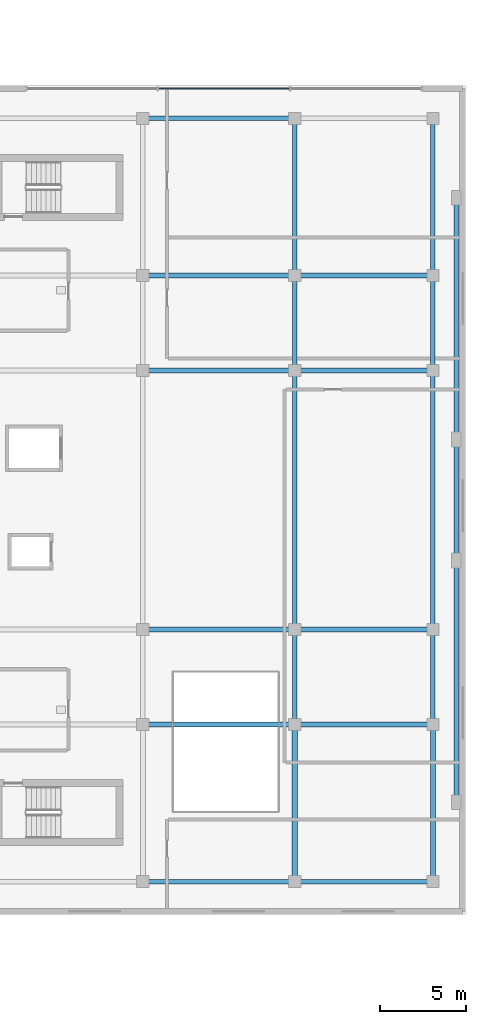
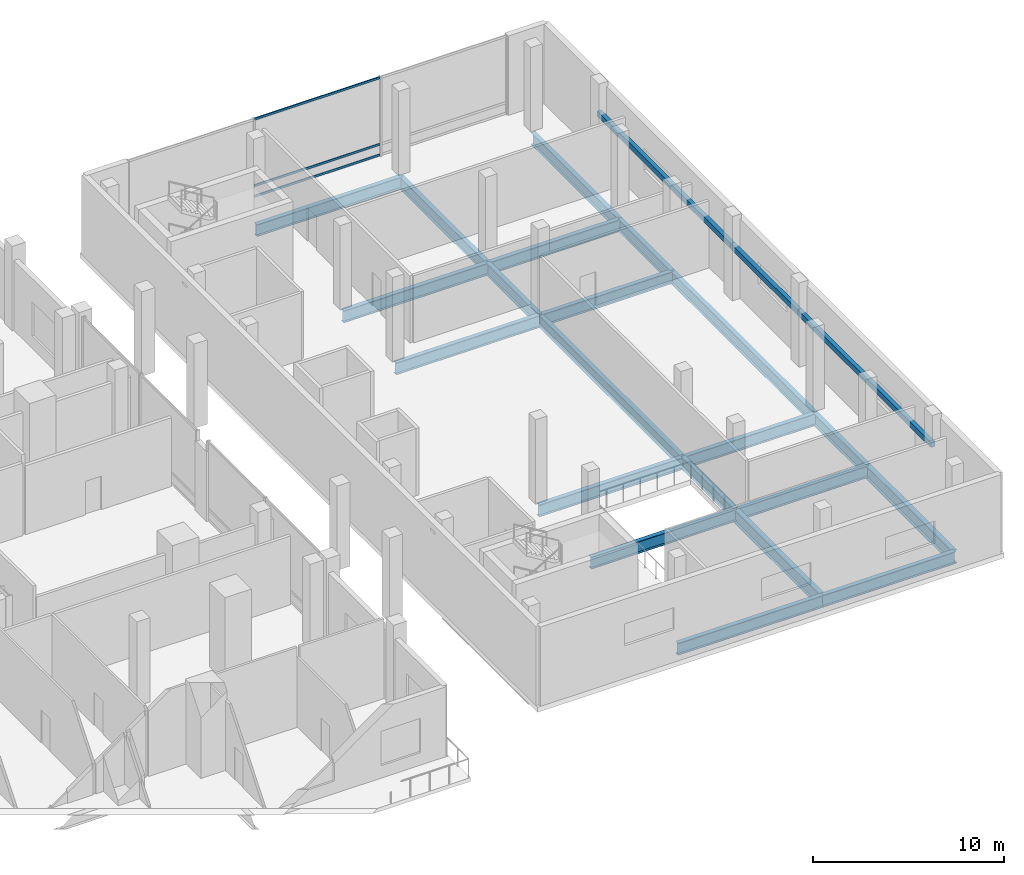
# One storey, part 17 of 32: 24 beams, 3 members, 1 element without a shape of its own.
"""IFC4 building model written with IfcOpenShell, lengths in metres."""

from ifc_helpers import new_model, si_unit, direction, frame, origin, origin_2d, place, context, subcontext, project, spatial, rectangle, hollow_rectangle, i_section, extrude, material, layer, layer_set, material_profile, profile_set, type_object, element, aggregate, save


model = new_model("IFC4")

# Units and contexts
model_context = context("Model", 3, precision=1e-05, world=origin(), true_north=direction((0.0, 1.0)))
body_context = subcontext(model_context, "Body", "Model", "MODEL_VIEW")
ifc_project = project(units=[si_unit("LENGTHUNIT", "METRE"), si_unit("AREAUNIT", "SQUARE_METRE"), si_unit("VOLUMEUNIT", "CUBIC_METRE"), si_unit("PLANEANGLEUNIT", "RADIAN"), si_unit("MASSUNIT", "GRAM", prefix="KILO")], contexts=[model_context])

# Site, building, storey
site_placement = place(None, origin())
site = spatial("IfcSite", under=ifc_project, at=site_placement, CompositionType="ELEMENT")
building_placement = place(site_placement, origin())
building = spatial("IfcBuilding", under=site, at=building_placement, Name="Barlavira Tower and Art Museum", CompositionType="ELEMENT")
storey_placement = place(building_placement, frame((0.0, 0.0, 6.0)))
storey = spatial("IfcBuildingStorey", under=building, at=storey_placement, Name="L01", CompositionType="ELEMENT", Elevation=6.0)

# Curtain wall, members
ifc_material_1 = material(Name="Low-iron coastal laminated glass", Category="glass")
ifc_layer = layer(ifc_material_1, 0.199951171875, Name="Low-iron coastal laminated glass")
ifc_layer_set = layer_set([ifc_layer], Name="Low-iron coastal laminated glass")
curtain_wall_type = type_object("IfcCurtainWallType", Name="Coastal Art Museum North-Light Curtain Wall", PredefinedType="NOTDEFINED", material=ifc_layer_set)
curtain_wall_placement = place(storey_placement, origin())
curtain_wall = element("IfcCurtainWall", 1, at=curtain_wall_placement, inside=storey, type_object=curtain_wall_type, Name="L01 Curtain Wall CW6-MUS-L01-N", PredefinedType="NOTDEFINED")
ifc_material_2 = material(Name="Pale anodised aluminium", Category="aluminium")
ifc_material_profile_1 = material_profile(ifc_material_2, hollow_rectangle(XDim=0.06494140625, YDim=0.139892578125, WallThickness=0.00390625, at=origin_2d()), Name="ALU-TRAN 65x140x4")
ifc_profile_set_1 = profile_set([ifc_material_profile_1], Name="Pale anodised aluminium")
member_type = type_object("IfcMemberType", Name="Curtain Wall Pale-Metal Transom 65x140", PredefinedType="USERDEFINED", material=ifc_profile_set_1)
member_1_placement = place(storey_placement, frame((47.288330078125, 23.824951171875, 0.070068359375), z_axis=(-1.0, 0.0, 0.0), x_axis=(0.0, -1.0, 0.0)))
member_1 = element("IfcMember", 2, at=member_1_placement, type_object=member_type, Name="CW6-MUS-L01-N Transom 1.1", ObjectType="TRANSOM", PredefinedType="USERDEFINED", context=body_context, shape_type="SweptSolid", body=[
    extrude(hollow_rectangle(XDim=0.06494140625, YDim=0.139892578125, WallThickness=0.00390625, at=origin_2d()), origin(), (0.0, 0.0, 1.0), 7.57666015625),
])
member_2_placement = place(storey_placement, frame((47.288330078125, 23.824951171875, 0.75), z_axis=(-1.0, 0.0, 0.0), x_axis=(0.0, -1.0, 0.0)))
member_2 = element("IfcMember", 3, at=member_2_placement, type_object=member_type, Name="CW6-MUS-L01-N Transom 1.2", ObjectType="TRANSOM", PredefinedType="USERDEFINED", context=body_context, shape_type="SweptSolid", body=[
    extrude(hollow_rectangle(XDim=0.06494140625, YDim=0.139892578125, WallThickness=0.00390625, at=origin_2d()), origin(), (0.0, 0.0, 1.0), 7.57666015625),
])
member_3_placement = place(storey_placement, frame((47.288330078125, 23.824951171875, 5.010009765625), z_axis=(-1.0, 0.0, 0.0), x_axis=(0.0, -1.0, 0.0)))
member_3 = element("IfcMember", 4, at=member_3_placement, type_object=member_type, Name="CW6-MUS-L01-N Transom 1.3", ObjectType="TRANSOM", PredefinedType="USERDEFINED", context=body_context, shape_type="SweptSolid", body=[
    extrude(hollow_rectangle(XDim=0.06494140625, YDim=0.139892578125, WallThickness=0.00390625, at=origin_2d()), origin(), (0.0, 0.0, 1.0), 7.57666015625),
])
aggregate(curtain_wall, [member_1, member_2, member_3])

# Beams
ifc_material_3 = material(Name="Steel S355", Category="steel")
ifc_material_profile_2 = material_profile(ifc_material_3, i_section(OverallWidth=0.2939453125, OverallDepth=0.85107421875, WebThickness=0.017333984375, FlangeThickness=0.0283203125, at=origin_2d()), Name="W840x251.0")
ifc_profile_set_2 = profile_set([ifc_material_profile_2], Name="Steel S355")
beam_type_1 = type_object("IfcBeamType", Name="Museum Auditorium Heavy Girder W840x251 Steel S355", PredefinedType="BEAM", material=ifc_profile_set_2)
for number, where, z_axis, x_axis, name in (
    (5, (47.60009765625, -22.10009765625, -0.74560546875), (0.0, 1.0, 0.0), (-1.0, 0.0, 0.0), "L01 Museum Girder Y 3-1"),
    (6, (55.60009765625, -22.10009765625, -0.74560546875), (0.0, 1.0, 0.0), (-1.0, 0.0, 0.0), "L01 Museum Girder Y 4-1"),
):
    element("IfcBeam", number, at=place(storey_placement, frame(where, z_axis=z_axis, x_axis=x_axis)), inside=storey, type_object=beam_type_1, Name=name, PredefinedType="BEAM", context=body_context, shape_type="SweptSolid", body=[
        extrude(i_section(OverallWidth=0.2939453125, OverallDepth=0.85107421875, WebThickness=0.017333984375, FlangeThickness=0.0283203125, at=origin_2d()), origin(), (0.0, 0.0, 1.0), 9.10009765625),
    ])
ifc_material_profile_3 = material_profile(ifc_material_3, i_section(OverallWidth=0.26904296875, OverallDepth=0.76806640625, WebThickness=0.016845703125, FlangeThickness=0.026611328125, at=origin_2d()), Name="W760x220.0")
ifc_profile_set_3 = profile_set([ifc_material_profile_3], Name="Steel S355")
beam_type_2 = type_object("IfcBeamType", Name="Museum Long-Span Gallery Girder W760x220 Steel S355", PredefinedType="BEAM", material=ifc_profile_set_3)
beam_1_placement = place(storey_placement, frame((47.60009765625, -13.0, -0.7041015625), z_axis=(0.0, 1.0, 0.0), x_axis=(-1.0, 0.0, 0.0)))
element("IfcBeam", 7, at=beam_1_placement, inside=storey, type_object=beam_type_2, Name="L01 Museum Girder Y 3-2", PredefinedType="BEAM", context=body_context, shape_type="SweptSolid", body=[
    extrude(i_section(OverallWidth=0.26904296875, OverallDepth=0.76806640625, WebThickness=0.016845703125, FlangeThickness=0.026611328125, at=origin_2d()), origin(), (0.0, 0.0, 1.0), 5.5),
])
beam_2_placement = place(storey_placement, frame((47.60009765625, -7.5, -0.7041015625), z_axis=(0.0, 1.0, 0.0), x_axis=(-1.0, 0.0, 0.0)))
element("IfcBeam", 8, at=beam_2_placement, inside=storey, type_object=beam_type_2, Name="L01 Museum Girder Y 3-3", PredefinedType="BEAM", context=body_context, shape_type="SweptSolid", body=[
    extrude(i_section(OverallWidth=0.26904296875, OverallDepth=0.76806640625, WebThickness=0.016845703125, FlangeThickness=0.026611328125, at=origin_2d()), origin(), (0.0, 0.0, 1.0), 15.0),
])
beam_3_placement = place(storey_placement, frame((47.60009765625, 7.5, -0.7041015625), z_axis=(0.0, 1.0, 0.0), x_axis=(-1.0, 0.0, 0.0)))
element("IfcBeam", 9, at=beam_3_placement, inside=storey, type_object=beam_type_2, Name="L01 Museum Girder Y 3-4", PredefinedType="BEAM", context=body_context, shape_type="SweptSolid", body=[
    extrude(i_section(OverallWidth=0.26904296875, OverallDepth=0.76806640625, WebThickness=0.016845703125, FlangeThickness=0.026611328125, at=origin_2d()), origin(), (0.0, 0.0, 1.0), 5.5),
])
beam_4_placement = place(storey_placement, frame((47.60009765625, 13.0, -0.7041015625), z_axis=(0.0, 1.0, 0.0), x_axis=(-1.0, 0.0, 0.0)))
element("IfcBeam", 10, at=beam_4_placement, inside=storey, type_object=beam_type_2, Name="L01 Museum Girder Y 3-5", PredefinedType="BEAM", context=body_context, shape_type="SweptSolid", body=[
    extrude(i_section(OverallWidth=0.26904296875, OverallDepth=0.76806640625, WebThickness=0.016845703125, FlangeThickness=0.026611328125, at=origin_2d()), origin(), (0.0, 0.0, 1.0), 9.10009765625),
])
beam_5_placement = place(storey_placement, frame((55.60009765625, -13.0, -0.7041015625), z_axis=(0.0, 1.0, 0.0), x_axis=(-1.0, 0.0, 0.0)))
element("IfcBeam", 11, at=beam_5_placement, inside=storey, type_object=beam_type_2, Name="L01 Museum Girder Y 4-2", PredefinedType="BEAM", context=body_context, shape_type="SweptSolid", body=[
    extrude(i_section(OverallWidth=0.26904296875, OverallDepth=0.76806640625, WebThickness=0.016845703125, FlangeThickness=0.026611328125, at=origin_2d()), origin(), (0.0, 0.0, 1.0), 5.5),
])
beam_6_placement = place(storey_placement, frame((55.60009765625, -7.5, -0.7041015625), z_axis=(0.0, 1.0, 0.0), x_axis=(-1.0, 0.0, 0.0)))
element("IfcBeam", 12, at=beam_6_placement, inside=storey, type_object=beam_type_2, Name="L01 Museum Girder Y 4-3", PredefinedType="BEAM", context=body_context, shape_type="SweptSolid", body=[
    extrude(i_section(OverallWidth=0.26904296875, OverallDepth=0.76806640625, WebThickness=0.016845703125, FlangeThickness=0.026611328125, at=origin_2d()), origin(), (0.0, 0.0, 1.0), 15.0),
])
beam_7_placement = place(storey_placement, frame((55.60009765625, 7.5, -0.7041015625), z_axis=(0.0, 1.0, 0.0), x_axis=(-1.0, 0.0, 0.0)))
element("IfcBeam", 13, at=beam_7_placement, inside=storey, type_object=beam_type_2, Name="L01 Museum Girder Y 4-4", PredefinedType="BEAM", context=body_context, shape_type="SweptSolid", body=[
    extrude(i_section(OverallWidth=0.26904296875, OverallDepth=0.76806640625, WebThickness=0.016845703125, FlangeThickness=0.026611328125, at=origin_2d()), origin(), (0.0, 0.0, 1.0), 5.5),
])
beam_8_placement = place(storey_placement, frame((55.60009765625, 13.0, -0.7041015625), z_axis=(0.0, 1.0, 0.0), x_axis=(-1.0, 0.0, 0.0)))
element("IfcBeam", 14, at=beam_8_placement, inside=storey, type_object=beam_type_2, Name="L01 Museum Girder Y 4-5", PredefinedType="BEAM", context=body_context, shape_type="SweptSolid", body=[
    extrude(i_section(OverallWidth=0.26904296875, OverallDepth=0.76806640625, WebThickness=0.016845703125, FlangeThickness=0.026611328125, at=origin_2d()), origin(), (0.0, 0.0, 1.0), 9.10009765625),
])
beam_9_placement = place(storey_placement, frame((38.800048828125, -22.10009765625, -0.7041015625), z_axis=(1.0, 0.0, 0.0), x_axis=(0.0, 1.0, 0.0)))
element("IfcBeam", 15, at=beam_9_placement, inside=storey, type_object=beam_type_2, Name="L01 Museum Girder X 1-2", PredefinedType="BEAM", context=body_context, shape_type="SweptSolid", body=[
    extrude(i_section(OverallWidth=0.26904296875, OverallDepth=0.76806640625, WebThickness=0.016845703125, FlangeThickness=0.026611328125, at=origin_2d()), origin(), (0.0, 0.0, 1.0), 8.800048828125),
])
beam_10_placement = place(storey_placement, frame((47.60009765625, -22.10009765625, -0.7041015625), z_axis=(1.0, 0.0, 0.0), x_axis=(0.0, 1.0, 0.0)))
element("IfcBeam", 16, at=beam_10_placement, inside=storey, type_object=beam_type_2, Name="L01 Museum Girder X 1-3", PredefinedType="BEAM", context=body_context, shape_type="SweptSolid", body=[
    extrude(i_section(OverallWidth=0.26904296875, OverallDepth=0.76806640625, WebThickness=0.016845703125, FlangeThickness=0.026611328125, at=origin_2d()), origin(), (0.0, 0.0, 1.0), 8.0),
])
beam_11_placement = place(storey_placement, frame((38.800048828125, -13.0, -0.7041015625), z_axis=(1.0, 0.0, 0.0), x_axis=(0.0, 1.0, 0.0)))
element("IfcBeam", 17, at=beam_11_placement, inside=storey, type_object=beam_type_2, Name="L01 Museum Girder X 2-2", PredefinedType="BEAM", context=body_context, shape_type="SweptSolid", body=[
    extrude(i_section(OverallWidth=0.26904296875, OverallDepth=0.76806640625, WebThickness=0.016845703125, FlangeThickness=0.026611328125, at=origin_2d()), origin(), (0.0, 0.0, 1.0), 8.800048828125),
])
beam_12_placement = place(storey_placement, frame((47.60009765625, -13.0, -0.7041015625), z_axis=(1.0, 0.0, 0.0), x_axis=(0.0, 1.0, 0.0)))
element("IfcBeam", 18, at=beam_12_placement, inside=storey, type_object=beam_type_2, Name="L01 Museum Girder X 2-3", PredefinedType="BEAM", context=body_context, shape_type="SweptSolid", body=[
    extrude(i_section(OverallWidth=0.26904296875, OverallDepth=0.76806640625, WebThickness=0.016845703125, FlangeThickness=0.026611328125, at=origin_2d()), origin(), (0.0, 0.0, 1.0), 8.0),
])
beam_13_placement = place(storey_placement, frame((38.800048828125, -7.5, -0.7041015625), z_axis=(1.0, 0.0, 0.0), x_axis=(0.0, 1.0, 0.0)))
element("IfcBeam", 19, at=beam_13_placement, inside=storey, type_object=beam_type_2, Name="L01 Museum Girder X 3-2", PredefinedType="BEAM", context=body_context, shape_type="SweptSolid", body=[
    extrude(i_section(OverallWidth=0.26904296875, OverallDepth=0.76806640625, WebThickness=0.016845703125, FlangeThickness=0.026611328125, at=origin_2d()), origin(), (0.0, 0.0, 1.0), 8.800048828125),
])
beam_14_placement = place(storey_placement, frame((47.60009765625, -7.5, -0.7041015625), z_axis=(1.0, 0.0, 0.0), x_axis=(0.0, 1.0, 0.0)))
element("IfcBeam", 20, at=beam_14_placement, inside=storey, type_object=beam_type_2, Name="L01 Museum Girder X 3-3", PredefinedType="BEAM", context=body_context, shape_type="SweptSolid", body=[
    extrude(i_section(OverallWidth=0.26904296875, OverallDepth=0.76806640625, WebThickness=0.016845703125, FlangeThickness=0.026611328125, at=origin_2d()), origin(), (0.0, 0.0, 1.0), 8.0),
])
beam_15_placement = place(storey_placement, frame((38.800048828125, 7.5, -0.7041015625), z_axis=(1.0, 0.0, 0.0), x_axis=(0.0, 1.0, 0.0)))
element("IfcBeam", 21, at=beam_15_placement, inside=storey, type_object=beam_type_2, Name="L01 Museum Girder X 4-2", PredefinedType="BEAM", context=body_context, shape_type="SweptSolid", body=[
    extrude(i_section(OverallWidth=0.26904296875, OverallDepth=0.76806640625, WebThickness=0.016845703125, FlangeThickness=0.026611328125, at=origin_2d()), origin(), (0.0, 0.0, 1.0), 8.800048828125),
])
beam_16_placement = place(storey_placement, frame((47.60009765625, 7.5, -0.7041015625), z_axis=(1.0, 0.0, 0.0), x_axis=(0.0, 1.0, 0.0)))
element("IfcBeam", 22, at=beam_16_placement, inside=storey, type_object=beam_type_2, Name="L01 Museum Girder X 4-3", PredefinedType="BEAM", context=body_context, shape_type="SweptSolid", body=[
    extrude(i_section(OverallWidth=0.26904296875, OverallDepth=0.76806640625, WebThickness=0.016845703125, FlangeThickness=0.026611328125, at=origin_2d()), origin(), (0.0, 0.0, 1.0), 8.0),
])
beam_17_placement = place(storey_placement, frame((38.800048828125, 13.0, -0.7041015625), z_axis=(1.0, 0.0, 0.0), x_axis=(0.0, 1.0, 0.0)))
element("IfcBeam", 23, at=beam_17_placement, inside=storey, type_object=beam_type_2, Name="L01 Museum Girder X 5-2", PredefinedType="BEAM", context=body_context, shape_type="SweptSolid", body=[
    extrude(i_section(OverallWidth=0.26904296875, OverallDepth=0.76806640625, WebThickness=0.016845703125, FlangeThickness=0.026611328125, at=origin_2d()), origin(), (0.0, 0.0, 1.0), 8.800048828125),
])
beam_18_placement = place(storey_placement, frame((47.60009765625, 13.0, -0.7041015625), z_axis=(1.0, 0.0, 0.0), x_axis=(0.0, 1.0, 0.0)))
element("IfcBeam", 24, at=beam_18_placement, inside=storey, type_object=beam_type_2, Name="L01 Museum Girder X 5-3", PredefinedType="BEAM", context=body_context, shape_type="SweptSolid", body=[
    extrude(i_section(OverallWidth=0.26904296875, OverallDepth=0.76806640625, WebThickness=0.016845703125, FlangeThickness=0.026611328125, at=origin_2d()), origin(), (0.0, 0.0, 1.0), 8.0),
])
beam_19_placement = place(storey_placement, frame((38.800048828125, 22.10009765625, -0.7041015625), z_axis=(1.0, 0.0, 0.0), x_axis=(0.0, 1.0, 0.0)))
element("IfcBeam", 25, at=beam_19_placement, inside=storey, type_object=beam_type_2, Name="L01 Museum Girder X 6-2", PredefinedType="BEAM", context=body_context, shape_type="SweptSolid", body=[
    extrude(i_section(OverallWidth=0.26904296875, OverallDepth=0.76806640625, WebThickness=0.016845703125, FlangeThickness=0.026611328125, at=origin_2d()), origin(), (0.0, 0.0, 1.0), 8.800048828125),
])
ifc_material_4 = material(Name="Precast concrete C40", Category="concrete")
ifc_material_profile_4 = material_profile(ifc_material_4, rectangle(XDim=0.25, YDim=0.35009765625, at=origin_2d()), Name="RC-LNT 250x350")
ifc_profile_set_4 = profile_set([ifc_material_profile_4], Name="Precast concrete C40")
beam_type_3 = type_object("IfcBeamType", Name="Precast Concrete Opening Lintel 250x350 Concrete C40", PredefinedType="LINTEL", material=ifc_profile_set_4)
beam_20_placement = place(storey_placement, frame((56.949951171875, -17.5, 3.199951171875), z_axis=(0.0, 1.0, 0.0), x_axis=(-1.0, 0.0, 0.0)))
element("IfcBeam", 26, at=beam_20_placement, inside=storey, type_object=beam_type_3, Name="L01 Museum Facade Lintel 1", PredefinedType="LINTEL", context=body_context, shape_type="SweptSolid", body=[
    extrude(rectangle(XDim=0.25, YDim=0.35009765625, at=origin_2d()), origin(), (0.0, 0.0, 1.0), 14.0),
])
beam_21_placement = place(storey_placement, frame((56.949951171875, -3.5, 3.199951171875), z_axis=(0.0, 1.0, 0.0), x_axis=(-1.0, 0.0, 0.0)))
element("IfcBeam", 27, at=beam_21_placement, inside=storey, type_object=beam_type_3, Name="L01 Museum Facade Lintel 2", PredefinedType="LINTEL", context=body_context, shape_type="SweptSolid", body=[
    extrude(rectangle(XDim=0.25, YDim=0.35009765625, at=origin_2d()), origin(), (0.0, 0.0, 1.0), 7.0),
])
beam_22_placement = place(storey_placement, frame((56.949951171875, 3.5, 3.199951171875), z_axis=(0.0, 1.0, 0.0), x_axis=(-1.0, 0.0, 0.0)))
element("IfcBeam", 28, at=beam_22_placement, inside=storey, type_object=beam_type_3, Name="L01 Museum Facade Lintel 3", PredefinedType="LINTEL", context=body_context, shape_type="SweptSolid", body=[
    extrude(rectangle(XDim=0.25, YDim=0.35009765625, at=origin_2d()), origin(), (0.0, 0.0, 1.0), 14.0),
])

save(model, "model.ifc")
